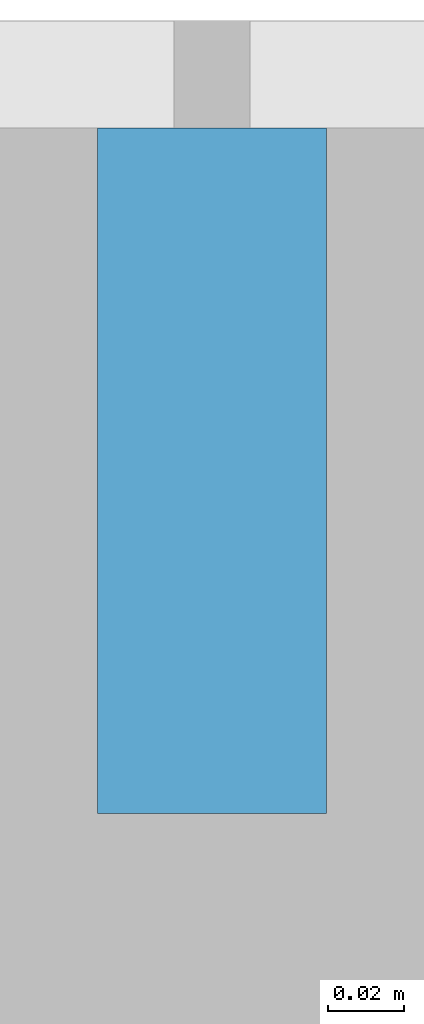
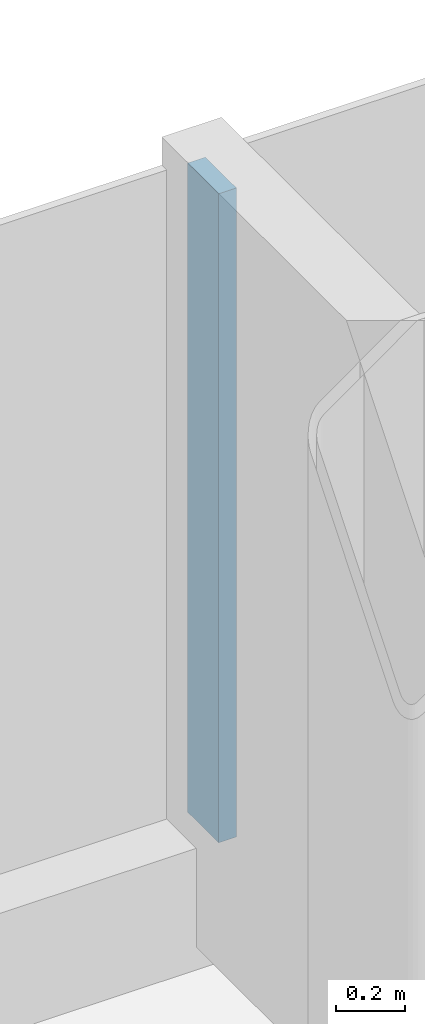
# One storey, part 9 of 26: 1 member, 1 element without a shape of its own.
"""IFC4 building model written with IfcOpenShell, lengths in metres."""

from ifc_helpers import new_model, si_unit, direction, frame, origin, origin_2d, place, context, subcontext, project, spatial, rectangle, extrude, material, layer, layer_set, material_profile, profile_set, type_object, element, aggregate, save


model = new_model("IFC4")

# Units and contexts
model_context = context("Model", 3, precision=1e-05, world=origin(), true_north=direction((0.0, 1.0)))
body_context = subcontext(model_context, "Body", "Model", "MODEL_VIEW")
ifc_project = project(units=[si_unit("LENGTHUNIT", "METRE"), si_unit("AREAUNIT", "SQUARE_METRE"), si_unit("VOLUMEUNIT", "CUBIC_METRE"), si_unit("PLANEANGLEUNIT", "RADIAN"), si_unit("MASSUNIT", "GRAM", prefix="KILO")], contexts=[model_context])

# Site, building, storey
site_placement = place(None, origin())
site = spatial("IfcSite", under=ifc_project, at=site_placement, CompositionType="ELEMENT")
building_placement = place(site_placement, origin())
building = spatial("IfcBuilding", under=site, at=building_placement, Name="Hakoniwa Tower and Hamabe Station Hall", CompositionType="ELEMENT")
storey_placement = place(building_placement, frame((0.0, 0.0, 215.39990234375)))
storey = spatial("IfcBuildingStorey", under=building, at=storey_placement, Name="L61", CompositionType="ELEMENT", Elevation=215.39990234375)

# Curtain wall, member
ifc_material_1 = material(Name="Dark low-e laminated glass", Category="glass")
ifc_layer = layer(ifc_material_1, 0.199951171875)
ifc_layer_set = layer_set([ifc_layer], Name="CW-1 UNITISED GUEST")
curtain_wall_type = type_object("IfcCurtainWallType", Name="CW-1 UNITISED GUEST", PredefinedType="NOTDEFINED", material=ifc_layer_set)
curtain_wall_placement = place(storey_placement, origin())
curtain_wall = element("IfcCurtainWall", 1, at=curtain_wall_placement, inside=storey, type_object=curtain_wall_type, Name="CW-1 curtain wall", PredefinedType="NOTDEFINED")
ifc_material_2 = material(Name="Aluminium 6063-T5 black anodised", Category="aluminium")
ifc_material_profile = material_profile(ifc_material_2, rectangle(XDim=0.06005859375, YDim=0.179931640625, at=origin_2d()), Name="CW-1 MULLION 60X180")
ifc_profile_set = profile_set([ifc_material_profile], Name="Aluminium 6063-T5 black anodised")
member_type = type_object("IfcMemberType", Name="CW-1 MULLION 60X180", PredefinedType="MULLION", material=ifc_profile_set)
member_placement = place(storey_placement, frame((16.800048828125, 20.431884765625, 0.35009765625), z_axis=(0.0, 0.0, 1.0), x_axis=(-1.0, 0.0, 0.0)))
member = element("IfcMember", 2, at=member_placement, type_object=member_type, Name="CW-1 mullion", PredefinedType="MULLION", context=body_context, shape_type="SweptSolid", body=[
    extrude(rectangle(XDim=0.06005859375, YDim=0.179931640625, at=origin_2d()), origin(), (0.0, 0.0, 1.0), 2.300048828125),
])
aggregate(curtain_wall, [member])

save(model, "model.ifc")
